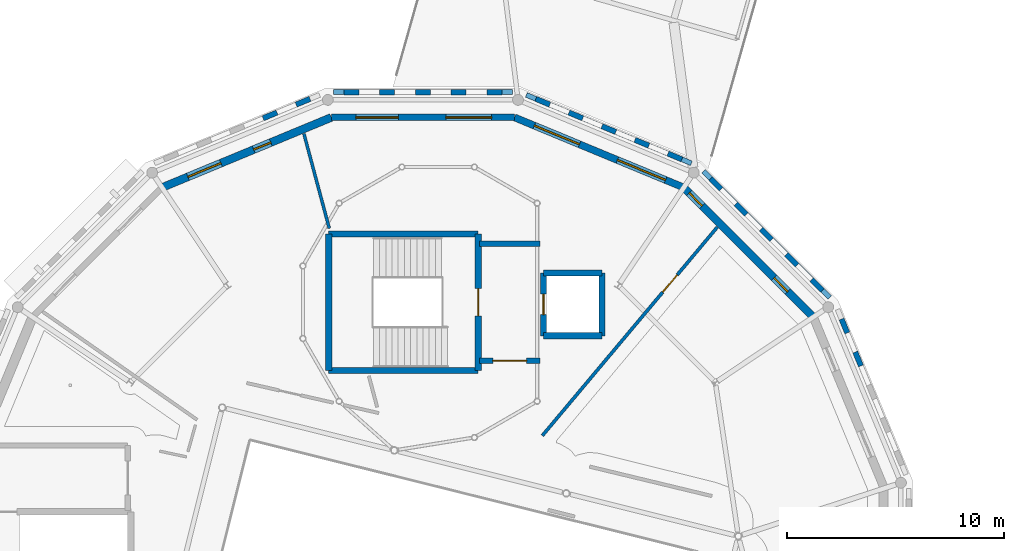
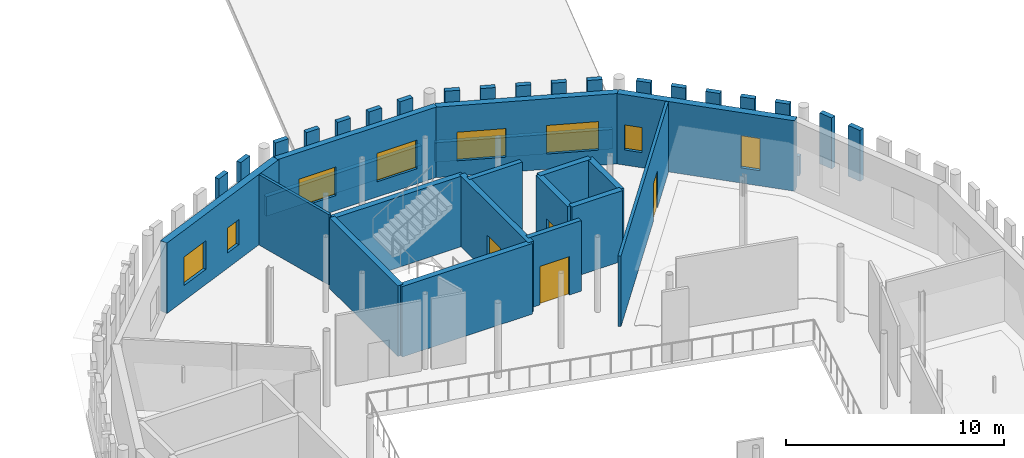
# One storey, part 48 of 68: 38 walls, 8 windows, 4 doors, 12 openings.
"""IFC4 building model written with IfcOpenShell, lengths in metres."""

from ifc_helpers import new_model, si_unit, direction, frame, frame_2d, origin, place, context, subcontext, project, spatial, rectangle, extrude, material, layer, layer_set, type_object, element, fill, save


model = new_model("IFC4")

# Units and contexts
model_context = context("Model", 3, precision=1e-05, world=origin(), true_north=direction((0.0, 1.0)))
body_context = subcontext(model_context, "Body", "Model", "MODEL_VIEW")
ifc_project = project(units=[si_unit("LENGTHUNIT", "METRE"), si_unit("AREAUNIT", "SQUARE_METRE"), si_unit("VOLUMEUNIT", "CUBIC_METRE"), si_unit("PLANEANGLEUNIT", "RADIAN"), si_unit("MASSUNIT", "GRAM", prefix="KILO")], contexts=[model_context])

# Site, building, storey
site_placement = place(None, origin())
site = spatial("IfcSite", under=ifc_project, at=site_placement, CompositionType="ELEMENT")
building_placement = place(site_placement, origin())
building = spatial("IfcBuilding", under=site, at=building_placement, Name="Wrenclough Park School", CompositionType="ELEMENT")
storey_placement = place(building_placement, frame((0.0, 0.0, 12.60009765625)))
storey = spatial("IfcBuildingStorey", under=building, at=storey_placement, Name="L03", CompositionType="ELEMENT", Elevation=12.60009765625)

# Walls
ifc_material_1 = material(Name="Perforated open-bond Staffordshire and Manchester brick screen pier", Category="masonry")
ifc_layer_1 = layer(ifc_material_1, 0.2451171875)
ifc_layer_set_1 = layer_set([ifc_layer_1], Name="Perforated open-bond Staffordshire and Manchester brick screen pier")
wall_type_1 = type_object("IfcWallType", Name="ENV-BS-PR245", PredefinedType="ELEMENTEDWALL", material=ifc_layer_set_1)
for number, where, z_axis, x_axis, name in (
    (1, (175.677001953125, 36.265380859375, 1.08984375), (0.0, 0.0, 1.0), (-0.38263262807, 0.923900574703, 0.0), "D1 L03 perforated brick screen pier 0626"),
    (2, (175.047119140625, 37.785888671875, 1.08984375), (0.0, 0.0, 1.0), (-0.38263262807, 0.923900574703, 0.0), "D1 L03 perforated brick screen pier 0627"),
):
    element("IfcWall", number, at=place(storey_placement, frame(where, z_axis=z_axis, x_axis=x_axis)), inside=storey, type_object=wall_type_1, Name=name, PredefinedType="ELEMENTEDWALL", context=body_context, shape_type="SweptSolid", body=[
        extrude(rectangle(XDim=0.69091796875, YDim=0.2451171875, at=frame_2d((0.345458984375, 0.0))), origin(), (0.0, 0.0, 1.0), 2.85009765625),
    ])
wall_1_placement = place(storey_placement, frame((173.895751953125, 39.751708984375, 1.08984375), z_axis=(0.0, 0.0, 1.0), x_axis=(-0.707283403329, 0.706930114916, 0.0)))
element("IfcWall", 3, at=wall_1_placement, inside=storey, type_object=wall_type_1, Name="D1 L03 perforated brick screen pier 0628", PredefinedType="ELEMENTEDWALL", context=body_context, shape_type="SweptSolid", body=[
    extrude(rectangle(XDim=0.691162109375, YDim=0.2451171875, at=frame_2d((0.345703125, 0.0))), origin(), (0.0, 0.0, 1.0), 2.85009765625),
])
for number, where, z_axis, x_axis, name in (
    (4, (172.73193359375, 40.915283203125, 1.08984375), (0.0, 0.0, 1.0), (-0.707106781187, 0.707106781187, 0.0), "D1 L03 perforated brick screen pier 0629"),
    (5, (171.568115234375, 42.0791015625, 1.08984375), (0.0, 0.0, 1.0), (-0.707106781187, 0.707106781187, 0.0), "D1 L03 perforated brick screen pier 0630"),
    (6, (170.404296875, 43.242919921875, 1.08984375), (0.0, 0.0, 1.0), (-0.707106781187, 0.707106781187, 0.0), "D1 L03 perforated brick screen pier 0631"),
):
    element("IfcWall", number, at=place(storey_placement, frame(where, z_axis=z_axis, x_axis=x_axis)), inside=storey, type_object=wall_type_1, Name=name, PredefinedType="ELEMENTEDWALL", context=body_context, shape_type="SweptSolid", body=[
        extrude(rectangle(XDim=0.69091796875, YDim=0.2451171875, at=frame_2d((0.345458984375, 0.0))), origin(), (0.0, 0.0, 1.0), 2.85009765625),
    ])
wall_2_placement = place(storey_placement, frame((169.24072265625, 44.406494140625, 1.08984375), z_axis=(0.0, 0.0, 1.0), x_axis=(-0.706930114916, 0.707283403329, 0.0)))
element("IfcWall", 7, at=wall_2_placement, inside=storey, type_object=wall_type_1, Name="D1 L03 perforated brick screen pier 0632", PredefinedType="ELEMENTEDWALL", context=body_context, shape_type="SweptSolid", body=[
    extrude(rectangle(XDim=0.691162109375, YDim=0.2451171875, at=frame_2d((0.345703125, 0.0))), origin(), (0.0, 0.0, 1.0), 2.85009765625),
])
for number, where, z_axis, x_axis, name in (
    (8, (167.424560546875, 45.782470703125, 1.08984375), (0.0, 0.0, 1.0), (-0.923900574703, 0.38263262807, 0.0), "D1 L03 perforated brick screen pier 0633"),
    (9, (165.90380859375, 46.412353515625, 1.08984375), (0.0, 0.0, 1.0), (-0.923900574703, 0.38263262807, 0.0), "D1 L03 perforated brick screen pier 0634"),
    (10, (164.38330078125, 47.042236328125, 1.08984375), (0.0, 0.0, 1.0), (-0.923900574703, 0.38263262807, 0.0), "D1 L03 perforated brick screen pier 0635"),
    (11, (162.862548828125, 47.672119140625, 1.08984375), (0.0, 0.0, 1.0), (-0.923900574703, 0.38263262807, 0.0), "D1 L03 perforated brick screen pier 0636"),
):
    element("IfcWall", number, at=place(storey_placement, frame(where, z_axis=z_axis, x_axis=x_axis)), inside=storey, type_object=wall_type_1, Name=name, PredefinedType="ELEMENTEDWALL", context=body_context, shape_type="SweptSolid", body=[
        extrude(rectangle(XDim=0.69091796875, YDim=0.2451171875, at=frame_2d((0.345458984375, 0.0))), origin(), (0.0, 0.0, 1.0), 2.85009765625),
    ])
wall_3_placement = place(storey_placement, frame((161.341796875, 48.302001953125, 1.08984375), z_axis=(0.0, 0.0, 1.0), x_axis=(-0.92377564286, 0.382934147939, 0.0)))
element("IfcWall", 12, at=wall_3_placement, inside=storey, type_object=wall_type_1, Name="D1 L03 perforated brick screen pier 0637", PredefinedType="ELEMENTEDWALL", context=body_context, shape_type="SweptSolid", body=[
    extrude(rectangle(XDim=0.691162109375, YDim=0.2451171875, at=frame_2d((0.345703125, 0.0))), origin(), (0.0, 0.0, 1.0), 2.85009765625),
])
for number, where, z_axis, x_axis, name in (
    (13, (159.137451171875, 48.878173828125, 1.08984375), (0.0, 0.0, 1.0), (-1.0, 0.0, 0.0), "D1 L03 perforated brick screen pier 0638"),
    (14, (157.491455078125, 48.878173828125, 1.08984375), (0.0, 0.0, 1.0), (-1.0, 0.0, 0.0), "D1 L03 perforated brick screen pier 0639"),
    (15, (155.845458984375, 48.878173828125, 1.08984375), (0.0, 0.0, 1.0), (-1.0, 0.0, 0.0), "D1 L03 perforated brick screen pier 0640"),
    (16, (154.199462890625, 48.878173828125, 1.08984375), (0.0, 0.0, 1.0), (-1.0, 0.0, 0.0), "D1 L03 perforated brick screen pier 0641"),
    (17, (152.553466796875, 48.878173828125, 1.08984375), (0.0, 0.0, 1.0), (-1.0, 0.0, 0.0), "D1 L03 perforated brick screen pier 0642"),
):
    element("IfcWall", number, at=place(storey_placement, frame(where, z_axis=z_axis, x_axis=x_axis)), inside=storey, type_object=wall_type_1, Name=name, PredefinedType="ELEMENTEDWALL", context=body_context, shape_type="SweptSolid", body=[
        extrude(rectangle(XDim=0.69091796875, YDim=0.2451171875, at=frame_2d((0.345458984375, 0.0))), origin(), (0.0, 0.0, 1.0), 2.85009765625),
    ])
wall_4_placement = place(storey_placement, frame((150.296630859375, 48.566650390625, 1.08984375), z_axis=(0.0, 0.0, 1.0), x_axis=(-0.92377564286, -0.382934147939, 0.0)))
element("IfcWall", 18, at=wall_4_placement, inside=storey, type_object=wall_type_1, Name="D1 L03 perforated brick screen pier 0643", PredefinedType="ELEMENTEDWALL", context=body_context, shape_type="SweptSolid", body=[
    extrude(rectangle(XDim=0.691162109375, YDim=0.2451171875, at=frame_2d((0.345703125, 0.0))), origin(), (0.0, 0.0, 1.0), 2.85009765625),
])
wall_5_placement = place(storey_placement, frame((148.77587890625, 47.9365234375, 1.08984375), z_axis=(0.0, 0.0, 1.0), x_axis=(-0.923900574703, -0.38263262807, 0.0)))
element("IfcWall", 19, at=wall_5_placement, inside=storey, type_object=wall_type_1, Name="D1 L03 perforated brick screen pier 0644", PredefinedType="ELEMENTEDWALL", context=body_context, shape_type="SweptSolid", body=[
    extrude(rectangle(XDim=0.69091796875, YDim=0.2451171875, at=frame_2d((0.345458984375, 0.0))), origin(), (0.0, 0.0, 1.0), 2.85009765625),
])
ifc_material_2 = material(Name="Open-bond Manchester multi-stock brick spandrel screen", Category="masonry")
ifc_layer_2 = layer(ifc_material_2, 0.22509765625)
ifc_layer_set_2 = layer_set([ifc_layer_2], Name="Open-bond Manchester multi-stock brick spandrel screen")
wall_type_2 = type_object("IfcWallType", Name="ENV-BS-SP225", PredefinedType="ELEMENTEDWALL", material=ifc_layer_set_2)
wall_6_placement = place(storey_placement, frame((174.2333984375, 39.4140625, 0.0), z_axis=(0.0, 0.0, 1.0), x_axis=(-0.707106781187, 0.707106781187, 0.0)))
element("IfcWall", 20, at=wall_6_placement, inside=storey, type_object=wall_type_2, Name="D1 L03 open-bond brick screen spandrel 0174", PredefinedType="ELEMENTEDWALL", context=body_context, shape_type="SweptSolid", body=[
    extrude(rectangle(XDim=8.22900390625, YDim=0.22509765625, at=frame_2d((4.114501953125, 0.0))), origin(), (0.0, 0.0, 1.0), 1.08984375),
])
for number, where, z_axis, x_axis, name in (
    (21, (167.86572265625, 45.599609375, 0.0), (0.0, 0.0, 1.0), (-0.923871846583, 0.38270198731, 0.0), "D1 L03 open-bond brick screen spandrel 0175"),
    (22, (159.614990234375, 48.878173828125, 0.0), (0.0, 0.0, 1.0), (-1.0, 0.0, 0.0), "D1 L03 open-bond brick screen spandrel 0176"),
):
    element("IfcWall", number, at=place(storey_placement, frame(where, z_axis=z_axis, x_axis=x_axis)), inside=storey, type_object=wall_type_2, Name=name, PredefinedType="ELEMENTEDWALL", context=body_context, shape_type="SweptSolid", body=[
        extrude(rectangle(XDim=8.22998046875, YDim=0.22509765625, at=frame_2d((4.114990234375, 0.0))), origin(), (0.0, 0.0, 1.0), 1.08984375),
    ])

# Wall, openings, windows
ifc_material_3 = material(Name="Manchester multi-stock brick and Concrete C32/40 inner leaf", Category="masonry")
ifc_layer_3 = layer(ifc_material_3, 0.300048828125)
ifc_layer_set_3 = layer_set([ifc_layer_3], Name="Manchester multi-stock brick and Concrete C32/40 inner leaf")
wall_type_3 = type_object("IfcWallType", Name="ENV-EW-300", PredefinedType="SOLIDWALL", material=ifc_layer_set_3)
wall_7_placement = place(storey_placement, frame((151.28076171875, 47.712158203125, 0.0), z_axis=(0.0, 0.0, 1.0), x_axis=(1.0, 0.0, 0.0)))
wall_7 = element("IfcWall", 23, at=wall_7_placement, inside=storey, type_object=wall_type_3, Name="L03 insulated brick external wall 0312", PredefinedType="SOLIDWALL", context=body_context, shape_type="SweptSolid", body=[
    extrude(rectangle(XDim=8.4384765625, YDim=0.300048828125, at=frame_2d((4.21923828125, 0.0))), origin(), (0.0, 0.0, 1.0), 3.93994140625),
])
opening_1_placement = place(wall_7_placement, frame((1.134765625, 0.0, 0.85009765625)))
opening_1 = element("IfcOpeningElement", 24, at=opening_1_placement, cuts=wall_7, Name="Opening WN-20", PredefinedType="OPENING", context=body_context, shape_type="SweptSolid", body=[
    extrude(rectangle(XDim=1.949951171875, YDim=1.60009765625, at=frame_2d((0.97509765625, 0.800048828125))), frame((0.0, 0.159912109375, 0.0), z_axis=(0.0, -1.0, 0.0), x_axis=(1.0, 0.0, 0.0)), (0.0, 0.0, 1.0), 0.320068359375),
])
opening_2_placement = place(wall_7_placement, frame((5.279052734375, 0.0, 0.85009765625)))
opening_2 = element("IfcOpeningElement", 25, at=opening_2_placement, cuts=wall_7, Name="Opening WN-21", PredefinedType="OPENING", context=body_context, shape_type="SweptSolid", body=[
    extrude(rectangle(XDim=2.10009765625, YDim=1.60009765625, at=frame_2d((1.050048828125, 0.800048828125))), frame((0.0, 0.159912109375, 0.0), z_axis=(0.0, -1.0, 0.0), x_axis=(1.0, 0.0, 0.0)), (0.0, 0.0, 1.0), 0.320068359375),
])
ifc_material_4 = material(Name="Thermally broken aluminium and double-glazed low-e glass", Category="aluminium")
window_type_1 = type_object("IfcWindowType", Name="ENV-WN-20", PartitioningType="DOUBLE_PANEL_VERTICAL", PredefinedType="WINDOW", material=ifc_material_4)
window_1_placement = place(opening_1_placement, origin())
window_1 = element("IfcWindow", 26, at=window_1_placement, inside=storey, type_object=window_type_1, Name="L03 scheduled facade window 0523", OverallHeight=1.60009765625, OverallWidth=1.949951171875, PartitioningType="SINGLE_PANEL", PredefinedType="WINDOW", context=body_context, shape_type="SweptSolid", body=[
    extrude(rectangle(XDim=1.949951171875, YDim=1.60009765625, at=frame_2d((0.97509765625, 0.800048828125))), frame((0.0, 0.030029296875, 0.0), z_axis=(0.0, -1.0, 0.0), x_axis=(1.0, 0.0, 0.0)), (0.0, 0.0, 1.0), 0.06005859375),
])
fill(opening_1, window_1)
window_type_2 = type_object("IfcWindowType", Name="ENV-WN-21", PartitioningType="DOUBLE_PANEL_VERTICAL", PredefinedType="WINDOW", material=ifc_material_4)
window_2_placement = place(opening_2_placement, origin())
window_2 = element("IfcWindow", 27, at=window_2_placement, inside=storey, type_object=window_type_2, Name="L03 scheduled facade window 0524", OverallHeight=1.60009765625, OverallWidth=2.10009765625, PartitioningType="SINGLE_PANEL", PredefinedType="WINDOW", context=body_context, shape_type="SweptSolid", body=[
    extrude(rectangle(XDim=2.10009765625, YDim=1.60009765625, at=frame_2d((1.050048828125, 0.800048828125))), frame((0.0, 0.030029296875, 0.0), z_axis=(0.0, -1.0, 0.0), x_axis=(1.0, 0.0, 0.0)), (0.0, 0.0, 1.0), 0.06005859375),
])
fill(opening_2, window_2)

ifc_layer_4 = layer(ifc_material_3, 0.324951171875)
ifc_layer_set_4 = layer_set([ifc_layer_4], Name="Manchester multi-stock brick and Concrete C32/40 inner leaf")
wall_type_4 = type_object("IfcWallType", Name="ENV-EW-325", PredefinedType="SOLIDWALL", material=ifc_layer_set_4)
wall_8_placement = place(storey_placement, frame((159.71923828125, 47.712158203125, 0.0), z_axis=(0.0, 0.0, 1.0), x_axis=(0.923884604839, -0.382671186453, 0.0)))
wall_8 = element("IfcWall", 28, at=wall_8_placement, inside=storey, type_object=wall_type_4, Name="L03 insulated brick external wall 0313", PredefinedType="SOLIDWALL", context=body_context, shape_type="SweptSolid", body=[
    extrude(rectangle(XDim=8.438720703125, YDim=0.324951171875, at=frame_2d((4.21923828125, 0.0))), origin(), (0.0, 0.0, 1.0), 3.93994140625),
])
opening_3_placement = place(wall_8_placement, frame((0.984619140625, 0.0, 0.85009765625)))
opening_3 = element("IfcOpeningElement", 29, at=opening_3_placement, cuts=wall_8, Name="Opening WN-22", PredefinedType="OPENING", context=body_context, shape_type="SweptSolid", body=[
    extrude(rectangle(XDim=2.25, YDim=1.60009765625, at=frame_2d((1.125, 0.800048828125))), frame((0.0, 0.17236328125, 0.0), z_axis=(0.0, -1.0, 0.0), x_axis=(1.0, 0.0, 0.0)), (0.0, 0.0, 1.0), 0.344970703125),
])
opening_4_placement = place(wall_8_placement, frame((5.12890625, 0.0, 0.85009765625)))
opening_4 = element("IfcOpeningElement", 30, at=opening_4_placement, cuts=wall_8, Name="Opening WN-23", PredefinedType="OPENING", context=body_context, shape_type="SweptSolid", body=[
    extrude(rectangle(XDim=2.39990234375, YDim=1.60009765625, at=frame_2d((1.199951171875, 0.800048828125))), frame((0.0, 0.17236328125, 0.0), z_axis=(0.0, -1.0, 0.0), x_axis=(1.0, 0.0, 0.0)), (0.0, 0.0, 1.0), 0.344970703125),
])
window_type_3 = type_object("IfcWindowType", Name="ENV-WN-22", PartitioningType="DOUBLE_PANEL_VERTICAL", PredefinedType="WINDOW", material=ifc_material_4)
window_3_placement = place(opening_3_placement, origin())
window_3 = element("IfcWindow", 31, at=window_3_placement, inside=storey, type_object=window_type_3, Name="L03 scheduled facade window 0525", OverallHeight=1.60009765625, OverallWidth=2.25, PartitioningType="SINGLE_PANEL", PredefinedType="WINDOW", context=body_context, shape_type="SweptSolid", body=[
    extrude(rectangle(XDim=2.25, YDim=1.60009765625, at=frame_2d((1.125, 0.800048828125))), frame((0.0, 0.030029296875, 0.0), z_axis=(0.0, -1.0, 0.0), x_axis=(1.0, 0.0, 0.0)), (0.0, 0.0, 1.0), 0.06005859375),
])
fill(opening_3, window_3)
window_type_4 = type_object("IfcWindowType", Name="ENV-WN-23", PartitioningType="DOUBLE_PANEL_VERTICAL", PredefinedType="WINDOW", material=ifc_material_4)
window_4_placement = place(opening_4_placement, origin())
window_4 = element("IfcWindow", 32, at=window_4_placement, inside=storey, type_object=window_type_4, Name="L03 scheduled facade window 0526", OverallHeight=1.60009765625, OverallWidth=2.39990234375, PartitioningType="SINGLE_PANEL", PredefinedType="WINDOW", context=body_context, shape_type="SweptSolid", body=[
    extrude(rectangle(XDim=2.39990234375, YDim=1.60009765625, at=frame_2d((1.199951171875, 0.800048828125))), frame((0.0, 0.030029296875, 0.0), z_axis=(0.0, -1.0, 0.0), x_axis=(1.0, 0.0, 0.0)), (0.0, 0.0, 1.0), 0.06005859375),
])
fill(opening_4, window_4)

ifc_material_5 = material(Name="Staffordshire blue-grey brick and Concrete C35/45 inner leaf", Category="masonry")
ifc_layer_5 = layer(ifc_material_5, 0.35009765625)
ifc_layer_set_5 = layer_set([ifc_layer_5], Name="Staffordshire blue-grey brick and Concrete C35/45 inner leaf")
wall_type_5 = type_object("IfcWallType", Name="ENV-EW-350", PredefinedType="SOLIDWALL", material=ifc_layer_set_5)
wall_9_placement = place(storey_placement, frame((167.515625, 44.48291015625, 0.0), z_axis=(0.0, 0.0, 1.0), x_axis=(0.707106781187, -0.707106781187, 0.0)))
wall_9 = element("IfcWall", 33, at=wall_9_placement, inside=storey, type_object=wall_type_5, Name="L03 insulated brick external wall 0314", PredefinedType="SOLIDWALL", context=body_context, shape_type="SweptSolid", body=[
    extrude(rectangle(XDim=8.43896484375, YDim=0.35009765625, at=frame_2d((4.219482421875, 0.0))), origin(), (0.0, 0.0, 1.0), 3.93994140625),
])
opening_5_placement = place(wall_9_placement, frame((0.35009765625, 0.0, 0.85009765625)))
opening_5 = element("IfcOpeningElement", 34, at=opening_5_placement, cuts=wall_9, Name="Opening WN-01", PredefinedType="OPENING", context=body_context, shape_type="SweptSolid", body=[
    extrude(rectangle(XDim=0.85009765625, YDim=1.39990234375, at=frame_2d((0.425048828125, 0.699951171875))), frame((0.0, 0.18505859375, 0.0), z_axis=(0.0, -1.0, 0.0), x_axis=(1.0, 0.0, 0.0)), (0.0, 0.0, 1.0), 0.3701171875),
])
opening_6_placement = place(wall_9_placement, frame((5.879150390625, 0.0, 0.85009765625)))
opening_6 = element("IfcOpeningElement", 35, at=opening_6_placement, cuts=wall_9, Name="Opening WN-25", PredefinedType="OPENING", context=body_context, shape_type="SweptSolid", body=[
    extrude(rectangle(XDim=0.89990234375, YDim=1.800048828125, at=frame_2d((0.449951171875, 0.89990234375))), frame((0.0, 0.18505859375, 0.0), z_axis=(0.0, -1.0, 0.0), x_axis=(1.0, 0.0, 0.0)), (0.0, 0.0, 1.0), 0.3701171875),
])
window_type_5 = type_object("IfcWindowType", Name="ENV-WN-01", PartitioningType="SINGLE_PANEL", PredefinedType="WINDOW", material=ifc_material_4)
window_5_placement = place(opening_5_placement, origin())
window_5 = element("IfcWindow", 36, at=window_5_placement, inside=storey, type_object=window_type_5, Name="L03 scheduled facade window 0527", OverallHeight=1.39990234375, OverallWidth=0.85009765625, PartitioningType="SINGLE_PANEL", PredefinedType="WINDOW", context=body_context, shape_type="SweptSolid", body=[
    extrude(rectangle(XDim=0.85009765625, YDim=1.39990234375, at=frame_2d((0.425048828125, 0.699951171875))), frame((0.0, 0.030029296875, 0.0), z_axis=(0.0, -1.0, 0.0), x_axis=(1.0, 0.0, 0.0)), (0.0, 0.0, 1.0), 0.06005859375),
])
fill(opening_5, window_5)
window_type_6 = type_object("IfcWindowType", Name="ENV-WN-25", PartitioningType="SINGLE_PANEL", PredefinedType="WINDOW", material=ifc_material_4)
window_6_placement = place(opening_6_placement, origin())
window_6 = element("IfcWindow", 37, at=window_6_placement, inside=storey, type_object=window_type_6, Name="L03 scheduled facade window 0528", OverallHeight=1.800048828125, OverallWidth=0.89990234375, PartitioningType="SINGLE_PANEL", PredefinedType="WINDOW", context=body_context, shape_type="SweptSolid", body=[
    extrude(rectangle(XDim=0.89990234375, YDim=1.800048828125, at=frame_2d((0.449951171875, 0.89990234375))), frame((0.0, 0.030029296875, 0.0), z_axis=(0.0, -1.0, 0.0), x_axis=(1.0, 0.0, 0.0)), (0.0, 0.0, 1.0), 0.06005859375),
])
fill(opening_6, window_6)

ifc_material_6 = material(Name="Faceted courtyard brick-cavity wall Concrete C35/45", Category="masonry")
ifc_layer_6 = layer(ifc_material_6, 0.364990234375)
ifc_layer_set_6 = layer_set([ifc_layer_6], Name="Faceted courtyard brick-cavity wall Concrete C35/45")
wall_type_6 = type_object("IfcWallType", Name="ENV-EW-365", PredefinedType="SOLIDWALL", material=ifc_layer_set_6)
wall_10_placement = place(storey_placement, frame((143.484375, 44.48291015625, 0.0), z_axis=(0.0, 0.0, 1.0), x_axis=(0.923884604839, 0.382671186453, 0.0)))
wall_10 = element("IfcWall", 38, at=wall_10_placement, inside=storey, type_object=wall_type_6, Name="L03 insulated brick external wall 0311", PredefinedType="SOLIDWALL", context=body_context, shape_type="SweptSolid", body=[
    extrude(rectangle(XDim=8.438720703125, YDim=0.364990234375, at=frame_2d((4.21923828125, 0.0))), origin(), (0.0, 0.0, 1.0), 3.93994140625),
])
opening_7_placement = place(wall_10_placement, frame((1.28466796875, 0.0, 0.85009765625)))
opening_7 = element("IfcOpeningElement", 39, at=opening_7_placement, cuts=wall_10, Name="Opening WN-18", PredefinedType="OPENING", context=body_context, shape_type="SweptSolid", body=[
    extrude(rectangle(XDim=1.64990234375, YDim=1.60009765625, at=frame_2d((0.824951171875, 0.800048828125))), frame((0.0, 0.1923828125, 0.0), z_axis=(0.0, -1.0, 0.0), x_axis=(1.0, 0.0, 0.0)), (0.0, 0.0, 1.0), 0.385009765625),
])
opening_8_placement = place(wall_10_placement, frame((4.5693359375, 0.0, 0.85009765625)))
opening_8 = element("IfcOpeningElement", 40, at=opening_8_placement, cuts=wall_10, Name="Opening WN-01", PredefinedType="OPENING", context=body_context, shape_type="SweptSolid", body=[
    extrude(rectangle(XDim=0.85009765625, YDim=1.39990234375, at=frame_2d((0.425048828125, 0.699951171875))), frame((0.0, 0.1923828125, 0.0), z_axis=(0.0, -1.0, 0.0), x_axis=(1.0, 0.0, 0.0)), (0.0, 0.0, 1.0), 0.385009765625),
])
window_7_placement = place(opening_8_placement, origin())
window_7 = element("IfcWindow", 41, at=window_7_placement, inside=storey, type_object=window_type_5, Name="L03 scheduled facade window 0522", OverallHeight=1.39990234375, OverallWidth=0.85009765625, PartitioningType="SINGLE_PANEL", PredefinedType="WINDOW", context=body_context, shape_type="SweptSolid", body=[
    extrude(rectangle(XDim=0.85009765625, YDim=1.39990234375, at=frame_2d((0.425048828125, 0.699951171875))), frame((0.0, 0.030029296875, 0.0), z_axis=(0.0, -1.0, 0.0), x_axis=(1.0, 0.0, 0.0)), (0.0, 0.0, 1.0), 0.06005859375),
])
fill(opening_8, window_7)
window_type_7 = type_object("IfcWindowType", Name="ENV-WN-18", PartitioningType="DOUBLE_PANEL_VERTICAL", PredefinedType="WINDOW", material=ifc_material_4)
window_8_placement = place(opening_7_placement, origin())
window_8 = element("IfcWindow", 42, at=window_8_placement, inside=storey, type_object=window_type_7, Name="L03 scheduled facade window 0521", OverallHeight=1.60009765625, OverallWidth=1.64990234375, PartitioningType="SINGLE_PANEL", PredefinedType="WINDOW", context=body_context, shape_type="SweptSolid", body=[
    extrude(rectangle(XDim=1.64990234375, YDim=1.60009765625, at=frame_2d((0.824951171875, 0.800048828125))), frame((0.0, 0.030029296875, 0.0), z_axis=(0.0, -1.0, 0.0), x_axis=(1.0, 0.0, 0.0)), (0.0, 0.0, 1.0), 0.06005859375),
])
fill(opening_7, window_8)

# Wall, opening, door
ifc_material_7 = material(Name="Concrete C35/45", Category="concrete")
ifc_layer_7 = layer(ifc_material_7, 0.25)
ifc_layer_set_7 = layer_set([ifc_layer_7], Name="Concrete C35/45")
wall_type_7 = type_object("IfcWallType", Name="INT-CW-250", PredefinedType="SHEAR", material=ifc_layer_set_7)
wall_11_placement = place(storey_placement, frame((158.10009765625, 36.5, 0.0), z_axis=(0.0, 0.0, 1.0), x_axis=(1.0, 0.0, 0.0)))
wall_11 = element("IfcWall", 43, at=wall_11_placement, inside=storey, type_object=wall_type_7, Name="Core C1 L03 lobby fire wall south", PredefinedType="SHEAR", context=body_context, shape_type="SweptSolid", body=[
    extrude(rectangle(XDim=2.7998046875, YDim=0.25, at=frame_2d((1.39990234375, 0.0))), origin(), (0.0, 0.0, 1.0), 3.949951171875),
])
opening_9_placement = place(wall_11_placement, frame((0.625, 0.0, 0.0)))
opening_9 = element("IfcOpeningElement", 44, at=opening_9_placement, cuts=wall_11, Name="Opening DLB-C1-L03", PredefinedType="OPENING", context=body_context, shape_type="SweptSolid", body=[
    extrude(rectangle(XDim=1.550048828125, YDim=2.14990234375, at=frame_2d((0.77490234375, 1.074951171875))), frame((0.0, 0.135009765625, 0.0), z_axis=(0.0, -1.0, 0.0), x_axis=(1.0, 0.0, 0.0)), (0.0, 0.0, 1.0), 0.27001953125),
])
ifc_material_8 = material(Name="Protected stair lobby double fire door assembly", Category="wood")
door_type_1 = type_object("IfcDoorType", Name="INT-DR-LB155", OperationType="NOTDEFINED", PredefinedType="DOOR", material=ifc_material_8)
door_1_placement = place(opening_9_placement, origin())
door_1 = element("IfcDoor", 45, at=door_1_placement, inside=storey, type_object=door_type_1, Name="Core C1 L03 protected lobby fire door", OperationType="DOUBLE_DOOR_SINGLE_SWING", OverallHeight=2.14990234375, OverallWidth=1.550048828125, PredefinedType="DOOR", context=body_context, shape_type="SweptSolid", body=[
    extrude(rectangle(XDim=1.550048828125, YDim=2.14990234375, at=frame_2d((0.77490234375, 1.074951171875))), frame((0.0, 0.02490234375, 0.0), z_axis=(0.0, -1.0, 0.0), x_axis=(1.0, 0.0, 0.0)), (0.0, 0.0, 1.0), 0.050048828125),
])
fill(opening_9, door_1)

# Walls
wall_12_placement = place(storey_placement, frame((160.89990234375, 41.89990234375, 0.0), z_axis=(0.0, 0.0, 1.0), x_axis=(-1.0, 0.0, 0.0)))
element("IfcWall", 46, at=wall_12_placement, inside=storey, type_object=wall_type_7, Name="Core C1 L03 lobby fire wall north", PredefinedType="SHEAR", context=body_context, shape_type="SweptSolid", body=[
    extrude(rectangle(XDim=2.7998046875, YDim=0.25, at=frame_2d((1.39990234375, 0.0))), origin(), (0.0, 0.0, 1.0), 3.949951171875),
])
ifc_material_9 = material(Name="Concrete C40/50", Category="concrete")
ifc_layer_8 = layer(ifc_material_9, 0.2900390625)
ifc_layer_set_8 = layer_set([ifc_layer_8], Name="Concrete C40/50")
wall_type_8 = type_object("IfcWallType", Name="INT-CW-290", PredefinedType="SHEAR", material=ifc_layer_set_8)
wall_13_placement = place(storey_placement, frame((151.155029296875, 36.054931640625, 0.0), z_axis=(0.0, 0.0, 1.0), x_axis=(1.0, 0.0, 0.0)))
element("IfcWall", 47, at=wall_13_placement, inside=storey, type_object=wall_type_8, Name="Core C1 L03 south shear wall", PredefinedType="SHEAR", context=body_context, shape_type="SweptSolid", body=[
    extrude(rectangle(XDim=6.889892578125, YDim=0.2900390625, at=frame_2d((3.44482421875, 0.0))), origin(), (0.0, 0.0, 1.0), 3.949951171875),
])

# Wall, opening, door
wall_14_placement = place(storey_placement, frame((158.044921875, 36.054931640625, 0.0), z_axis=(0.0, 0.0, 1.0), x_axis=(0.0, 1.0, 0.0)))
wall_14 = element("IfcWall", 48, at=wall_14_placement, inside=storey, type_object=wall_type_8, Name="Core C1 L03 east shear wall", PredefinedType="SHEAR", context=body_context, shape_type="SweptSolid", body=[
    extrude(rectangle(XDim=6.2900390625, YDim=0.2900390625, at=frame_2d((3.14501953125, 0.0))), origin(), (0.0, 0.0, 1.0), 3.949951171875),
])
opening_10_placement = place(wall_14_placement, frame((2.52001953125, 0.0, 0.0)))
opening_10 = element("IfcOpeningElement", 49, at=opening_10_placement, cuts=wall_14, Name="Opening DST-C1-L03", PredefinedType="OPENING", context=body_context, shape_type="SweptSolid", body=[
    extrude(rectangle(XDim=1.25, YDim=2.10009765625, at=frame_2d((0.625, 1.050048828125))), frame((0.0, 0.155029296875, 0.0), z_axis=(0.0, -1.0, 0.0), x_axis=(1.0, 0.0, 0.0)), (0.0, 0.0, 1.0), 0.31005859375),
])
ifc_material_10 = material(Name="Wide protected escape stair fire door assembly", Category="wood")
door_type_2 = type_object("IfcDoorType", Name="INT-DR-ST125", OperationType="NOTDEFINED", PredefinedType="DOOR", material=ifc_material_10)
door_2_placement = place(opening_10_placement, origin())
door_2 = element("IfcDoor", 50, at=door_2_placement, inside=storey, type_object=door_type_2, Name="Stair ST-01 L03 fire door", OperationType="SINGLE_SWING_RIGHT", OverallHeight=2.10009765625, OverallWidth=1.25, PredefinedType="DOOR", context=body_context, shape_type="SweptSolid", body=[
    extrude(rectangle(XDim=1.25, YDim=2.10009765625, at=frame_2d((0.625, 1.050048828125))), frame((0.0, 0.02490234375, 0.0), z_axis=(0.0, -1.0, 0.0), x_axis=(1.0, 0.0, 0.0)), (0.0, 0.0, 1.0), 0.050048828125),
])
fill(opening_10, door_2)

# Walls
wall_15_placement = place(storey_placement, frame((158.044921875, 42.344970703125, 0.0), z_axis=(0.0, 0.0, 1.0), x_axis=(-1.0, 0.0, 0.0)))
element("IfcWall", 51, at=wall_15_placement, inside=storey, type_object=wall_type_8, Name="Core C1 L03 north shear wall", PredefinedType="SHEAR", context=body_context, shape_type="SweptSolid", body=[
    extrude(rectangle(XDim=6.889892578125, YDim=0.2900390625, at=frame_2d((3.44482421875, 0.0))), origin(), (0.0, 0.0, 1.0), 3.949951171875),
])
wall_16_placement = place(storey_placement, frame((151.155029296875, 42.344970703125, 0.0), z_axis=(0.0, 0.0, 1.0), x_axis=(0.0, -1.0, 0.0)))
element("IfcWall", 52, at=wall_16_placement, inside=storey, type_object=wall_type_8, Name="Core C1 L03 west shear wall", PredefinedType="SHEAR", context=body_context, shape_type="SweptSolid", body=[
    extrude(rectangle(XDim=6.2900390625, YDim=0.2900390625, at=frame_2d((3.14501953125, 0.0))), origin(), (0.0, 0.0, 1.0), 3.949951171875),
])
wall_17_placement = place(storey_placement, frame((161.054931640625, 37.655029296875, 0.0), z_axis=(0.0, 0.0, 1.0), x_axis=(1.0, 0.0, 0.0)))
element("IfcWall", 53, at=wall_17_placement, inside=storey, type_object=wall_type_8, Name="Lift LFT-03 L03 south shaft wall", PredefinedType="SHEAR", context=body_context, shape_type="SweptSolid", body=[
    extrude(rectangle(XDim=2.690185546875, YDim=0.2900390625, at=frame_2d((1.34521484375, 0.0))), origin(), (0.0, 0.0, 1.0), 3.949951171875),
])
wall_18_placement = place(storey_placement, frame((163.7451171875, 37.655029296875, 0.0), z_axis=(0.0, 0.0, 1.0), x_axis=(0.0, 1.0, 0.0)))
element("IfcWall", 54, at=wall_18_placement, inside=storey, type_object=wall_type_8, Name="Lift LFT-03 L03 east shaft wall", PredefinedType="SHEAR", context=body_context, shape_type="SweptSolid", body=[
    extrude(rectangle(XDim=2.889892578125, YDim=0.2900390625, at=frame_2d((1.44482421875, 0.0))), origin(), (0.0, 0.0, 1.0), 3.949951171875),
])
wall_19_placement = place(storey_placement, frame((163.7451171875, 40.544921875, 0.0), z_axis=(0.0, 0.0, 1.0), x_axis=(-1.0, 0.0, 0.0)))
element("IfcWall", 55, at=wall_19_placement, inside=storey, type_object=wall_type_8, Name="Lift LFT-03 L03 north shaft wall", PredefinedType="SHEAR", context=body_context, shape_type="SweptSolid", body=[
    extrude(rectangle(XDim=2.690185546875, YDim=0.2900390625, at=frame_2d((1.34521484375, 0.0))), origin(), (0.0, 0.0, 1.0), 3.949951171875),
])

# Wall, opening, door
wall_20_placement = place(storey_placement, frame((161.054931640625, 40.544921875, 0.0), z_axis=(0.0, 0.0, 1.0), x_axis=(0.0, -1.0, 0.0)))
wall_20 = element("IfcWall", 56, at=wall_20_placement, inside=storey, type_object=wall_type_8, Name="Lift LFT-03 L03 west shaft wall", PredefinedType="SHEAR", context=body_context, shape_type="SweptSolid", body=[
    extrude(rectangle(XDim=2.889892578125, YDim=0.2900390625, at=frame_2d((1.44482421875, 0.0))), origin(), (0.0, 0.0, 1.0), 3.949951171875),
])
opening_11_placement = place(wall_20_placement, frame((0.969970703125, 0.0, 0.0)))
opening_11 = element("IfcOpeningElement", 57, at=opening_11_placement, cuts=wall_20, Name="Opening LD-03-L03", PredefinedType="OPENING", context=body_context, shape_type="SweptSolid", body=[
    extrude(rectangle(XDim=0.949951171875, YDim=2.10009765625, at=frame_2d((0.47509765625, 1.050048828125))), frame((0.0, 0.155029296875, 0.0), z_axis=(0.0, -1.0, 0.0), x_axis=(1.0, 0.0, 0.0)), (0.0, 0.0, 1.0), 0.31005859375),
])
ifc_material_11 = material(Name="Brushed stainless steel", Category="steel")
door_type_3 = type_object("IfcDoorType", Name="INT-DR-LD095", OperationType="NOTDEFINED", PredefinedType="DOOR", material=ifc_material_11)
door_3_placement = place(opening_11_placement, frame((0.949951171875, 0.0, 0.0), z_axis=(0.0, 0.0, 1.0), x_axis=(-1.0, 0.0, 0.0)))
door_3 = element("IfcDoor", 58, at=door_3_placement, inside=storey, type_object=door_type_3, Name="Lift LFT-03 L03 sliding landing door", OperationType="SLIDING_TO_LEFT", OverallHeight=2.10009765625, OverallWidth=0.949951171875, PredefinedType="DOOR", context=body_context, shape_type="SweptSolid", body=[
    extrude(rectangle(XDim=0.949951171875, YDim=2.10009765625, at=frame_2d((0.47509765625, 1.050048828125))), frame((0.0, 0.02490234375, 0.0), z_axis=(0.0, -1.0, 0.0), x_axis=(1.0, 0.0, 0.0)), (0.0, 0.0, 1.0), 0.050048828125),
])
fill(opening_11, door_3)

ifc_material_12 = material(Name="Protected corridor partition", Category="gypsum")
ifc_layer_9 = layer(ifc_material_12, 0.14990234375)
ifc_layer_set_9 = layer_set([ifc_layer_9], Name="Protected corridor partition")
wall_type_9 = type_object("IfcWallType", Name="INT-PW-150", PredefinedType="PARTITIONING", material=ifc_layer_set_9)
wall_21_placement = place(storey_placement, frame((169.057861328125, 42.65771484375, 0.0), z_axis=(0.0, 0.0, 1.0), x_axis=(-0.642785558664, -0.766046164127, 0.0)))
wall_21 = element("IfcWall", 59, at=wall_21_placement, inside=storey, type_object=wall_type_9, Name="L03 internal partition 0421", PredefinedType="PARTITIONING", context=body_context, shape_type="SweptSolid", body=[
    extrude(rectangle(XDim=12.537841796875, YDim=0.14990234375, at=frame_2d((6.26904296875, 0.0))), origin(), (0.0, 0.0, 1.0), 3.949951171875),
])
opening_12_placement = place(wall_21_placement, frame((2.87451171875, 0.0, 0.0)))
opening_12 = element("IfcOpeningElement", 60, at=opening_12_placement, cuts=wall_21, Name="Opening DR-L03-084", PredefinedType="OPENING", context=body_context, shape_type="SweptSolid", body=[
    extrude(rectangle(XDim=1.0400390625, YDim=2.10009765625, at=frame_2d((0.52001953125, 1.050048828125))), frame((0.0, 0.0849609375, 0.0), z_axis=(0.0, -1.0, 0.0), x_axis=(1.0, 0.0, 0.0)), (0.0, 0.0, 1.0), 0.169921875),
])
ifc_material_13 = material(Name="SEN accessible teaching room door assembly", Category="wood")
door_type_4 = type_object("IfcDoorType", Name="INT-DR-CL104", OperationType="NOTDEFINED", PredefinedType="DOOR", material=ifc_material_13)
door_4_placement = place(opening_12_placement, origin())
door_4 = element("IfcDoor", 61, at=door_4_placement, inside=storey, type_object=door_type_4, Name="Viewing Gallery East door DR-L03-084", OperationType="SINGLE_SWING_LEFT", OverallHeight=2.10009765625, OverallWidth=1.0400390625, PredefinedType="DOOR", context=body_context, shape_type="SweptSolid", body=[
    extrude(rectangle(XDim=1.0400390625, YDim=2.10009765625, at=frame_2d((0.52001953125, 1.050048828125))), frame((0.0, 0.02490234375, 0.0), z_axis=(0.0, -1.0, 0.0), x_axis=(1.0, 0.0, 0.0)), (0.0, 0.0, 1.0), 0.050048828125),
])
fill(opening_12, door_4)

# Wall
ifc_material_14 = material(Name="Moisture-resistant sanitary service wall", Category="gypsum")
ifc_layer_10 = layer(ifc_material_14, 0.139892578125)
ifc_layer_set_10 = layer_set([ifc_layer_10], Name="Moisture-resistant sanitary service wall")
wall_type_10 = type_object("IfcWallType", Name="INT-SV-140", PredefinedType="PLUMBINGWALL", material=ifc_layer_set_10)
wall_22_placement = place(storey_placement, frame((151.18603515625, 42.60009765625, 0.0), z_axis=(0.0, 0.0, 1.0), x_axis=(-0.258853135849, 0.965916691056, 0.0)))
element("IfcWall", 62, at=wall_22_placement, inside=storey, type_object=wall_type_10, Name="L03 internal partition 0434", PredefinedType="PLUMBINGWALL", context=body_context, shape_type="SweptSolid", body=[
    extrude(rectangle(XDim=4.517822265625, YDim=0.139892578125, at=frame_2d((2.2587890625, 0.0))), origin(), (0.0, 0.0, 1.0), 3.93994140625),
])

save(model, "model.ifc")
